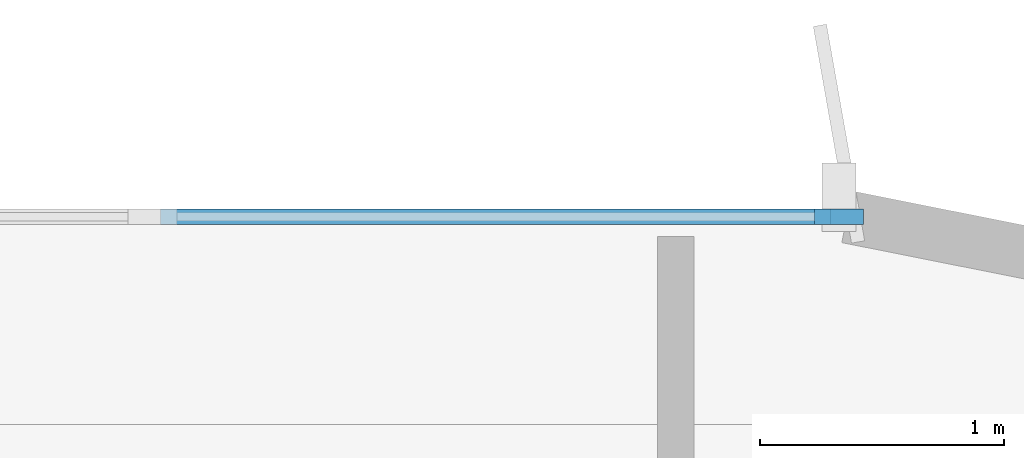
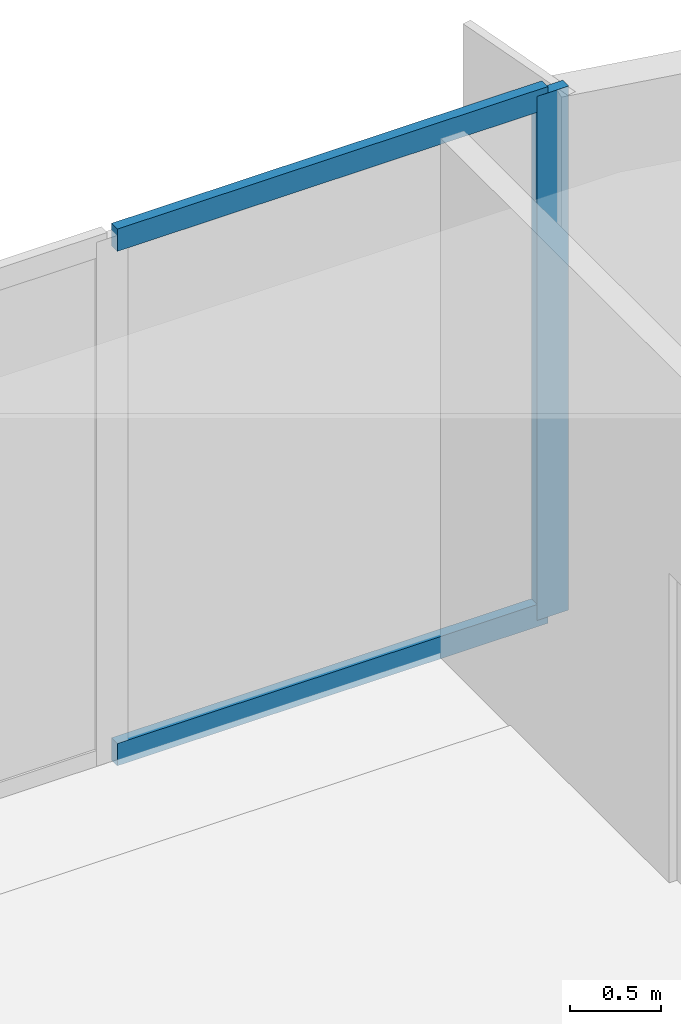
# One storey, part 8 of 19: 3 members, 1 element without a shape of its own.
"""IFC4 building model written with IfcOpenShell, lengths in metres."""

from ifc_helpers import new_model, si_unit, direction, frame, origin, origin_2d, place, context, subcontext, project, spatial, rectangle, extrude, source, transform, mapped, material, layer, layer_set, material_profile, profile_set, type_object, element, aggregate, save


model = new_model("IFC4")

# Units and contexts
model_context = context("Model", 3, precision=1e-05, world=origin(), true_north=direction((0.0, 1.0)))
body_context = subcontext(model_context, "Body", "Model", "MODEL_VIEW")
ifc_project = project(units=[si_unit("LENGTHUNIT", "METRE"), si_unit("AREAUNIT", "SQUARE_METRE"), si_unit("VOLUMEUNIT", "CUBIC_METRE"), si_unit("PLANEANGLEUNIT", "RADIAN"), si_unit("MASSUNIT", "GRAM", prefix="KILO")], contexts=[model_context])

# Site, building, storey
site_placement = place(None, origin())
site = spatial("IfcSite", under=ifc_project, at=site_placement, CompositionType="ELEMENT")
building_placement = place(site_placement, origin())
building = spatial("IfcBuilding", under=site, at=building_placement, Name="Brelvock Crest Care Tower", CompositionType="ELEMENT")
storey_placement = place(building_placement, frame((0.0, 0.0, 64.800048828125)))
storey = spatial("IfcBuildingStorey", under=building, at=storey_placement, Name="L16", CompositionType="ELEMENT", Elevation=64.800048828125)

# Curtain wall, members
ifc_material_1 = material(Name="Dark Glass Double Glazed Low-E", Category="glass")
ifc_layer = layer(ifc_material_1, 0.195068359375, Name="CWS-2")
ifc_layer_set = layer_set([ifc_layer], Name="Dark Glass Double Glazed Low-E")
curtain_wall_type = type_object("IfcCurtainWallType", Name="CWS-2", PredefinedType="NOTDEFINED", material=ifc_layer_set)
curtain_wall_placement = place(storey_placement, origin())
curtain_wall = element("IfcCurtainWall", 1, at=curtain_wall_placement, inside=storey, type_object=curtain_wall_type, Name="L16 Curtain Wall E30", PredefinedType="NOTDEFINED")
ifc_material_2 = material(Name="Aluminium 6063-T6", Category="aluminium")
ifc_material_profile_1 = material_profile(ifc_material_2, rectangle(XDim=0.06494140625, YDim=0.199951171875, at=origin_2d()), Name="ALU65x200")
ifc_profile_set_1 = profile_set([ifc_material_profile_1], Name="Aluminium 6063-T6")
member_type_1 = type_object("IfcMemberType", Name="CWM-1", PredefinedType="MULLION", material=ifc_profile_set_1)
shared_shape_1 = source(origin(), body_context, "Body", "SweptSolid", [
    extrude(rectangle(XDim=0.06494140625, YDim=0.199951171875, at=origin_2d()), origin(), (0.0, 0.0, 1.0), 3.530029296875),
])
member_1_placement = place(storey_placement, frame((56.767578125, 36.0, 0.0), z_axis=(0.0, 0.0, 1.0), x_axis=(0.0, 1.0, 0.0)))
member_1 = element("IfcMember", 2, at=member_1_placement, type_object=member_type_1, Name="CW-2 mullion 6", PredefinedType="MULLION", context=body_context, shape_type="MappedRepresentation", body=[
    mapped(shared_shape_1, transform((0.0, 0.0, 0.0), x_axis=(1.0, 0.0, 0.0), y_axis=(0.0, 1.0, 0.0), z_axis=(0.0, 0.0, 1.0), scale=1.0)),
])
ifc_material_profile_2 = material_profile(ifc_material_2, rectangle(XDim=0.06494140625, YDim=0.14990234375, at=origin_2d()), Name="ALU65x150")
ifc_profile_set_2 = profile_set([ifc_material_profile_2], Name="Aluminium 6063-T6")
member_type_2 = type_object("IfcMemberType", Name="CWT-1", PredefinedType="USERDEFINED", material=ifc_profile_set_2)
shared_shape_2 = source(origin(), body_context, "Body", "SweptSolid", [
    extrude(rectangle(XDim=0.06494140625, YDim=0.14990234375, at=origin_2d()), origin(), (0.0, 0.0, 1.0), 2.74267578125),
])
member_2_placement = place(storey_placement, frame((53.992431640625, 36.0, 0.032470703125), z_axis=(1.0, 0.0, 0.0), x_axis=(0.0, 1.0, 0.0)))
member_2 = element("IfcMember", 3, at=member_2_placement, type_object=member_type_2, Name="CW-2 transom 5.1", ObjectType="TRANSOM", PredefinedType="USERDEFINED", context=body_context, shape_type="MappedRepresentation", body=[
    mapped(shared_shape_2, transform((0.0, 0.0, 0.0), x_axis=(1.0, 0.0, 0.0), y_axis=(0.0, 1.0, 0.0), z_axis=(0.0, 0.0, 1.0), scale=1.0)),
])
member_3_placement = place(storey_placement, frame((53.992431640625, 36.0, 3.49755859375), z_axis=(1.0, 0.0, 0.0), x_axis=(0.0, 1.0, 0.0)))
member_3 = element("IfcMember", 4, at=member_3_placement, type_object=member_type_2, Name="CW-2 transom 5.2", ObjectType="TRANSOM", PredefinedType="USERDEFINED", context=body_context, shape_type="MappedRepresentation", body=[
    mapped(shared_shape_2, transform((0.0, 0.0, 0.0), x_axis=(1.0, 0.0, 0.0), y_axis=(0.0, 1.0, 0.0), z_axis=(0.0, 0.0, 1.0), scale=1.0)),
])
aggregate(curtain_wall, [member_1, member_2, member_3])

save(model, "model.ifc")
